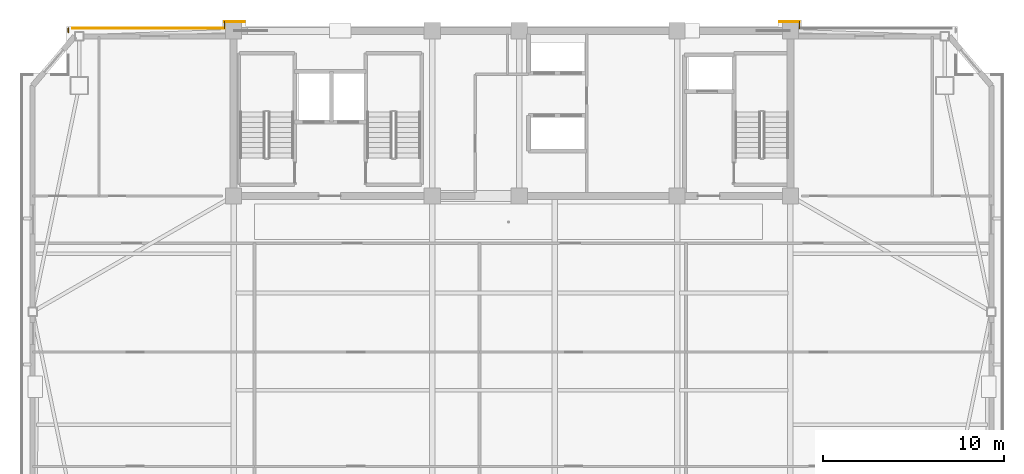
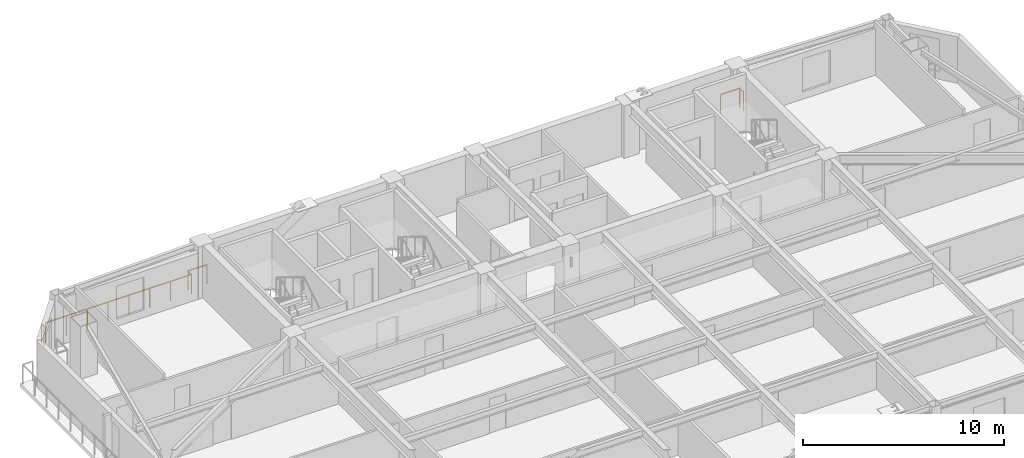
# One storey, part 17 of 18: 6 railings.
"""IFC4 building model written with IfcOpenShell, lengths in metres."""

import ifcopenshell
import ifcopenshell.guid

model = None  # the IFC model being written
_history = None  # IfcOwnerHistory: only IFC2X3 demands one
_inside = {}  # id of a spatial element -> (the spatial element, [elements in it])
_under = {}  # id of a project, library or spatial element -> (it, [spatial elements below it])
_declared = {}  # id of a project -> (the project, [libraries it declares])
_typed = {}  # id of a type object -> (the type object, [elements of that type])
_made_of = {}  # id of a material, layer set ... -> (it, [elements and type objects made of it])


def new_model(schema):
    """Start an empty IFC model of exactly this schema.

    Asked for "IFC4X3", IfcOpenShell would pick the latest addendum, in which some entities
    have other attributes; the version numbers below select the first issue.
    IFC2X3 requires an IfcOwnerHistory on every rooted entity: one is made here for all.
    """
    global model, _history
    if schema == "IFC4X3":
        model = ifcopenshell.file(schema_version=(4, 3, 0, 0))
    else:
        model = ifcopenshell.file(schema=schema)
    _inside.clear()
    _under.clear()
    _declared.clear()
    _typed.clear()
    _made_of.clear()
    _history = None
    if model.schema == "IFC2X3":
        org = make("IfcOrganization", Name="unknown")
        user = make(
            "IfcPersonAndOrganization",
            ThePerson=make("IfcPerson", FamilyName="unknown"),
            TheOrganization=org,
        )
        app = make(
            "IfcApplication",
            ApplicationDeveloper=org,
            Version="unknown",
            ApplicationFullName="unknown",
            ApplicationIdentifier="unknown",
        )
        _history = make(
            "IfcOwnerHistory",
            OwningUser=user,
            OwningApplication=app,
            ChangeAction="ADDED",
            CreationDate=0,
        )
    return model


def make(cls, **values):
    """One entity of the class cls with the attributes given. An attribute that is None is left unset."""
    return model.create_entity(
        cls, **{name: value for name, value in values.items() if value is not None}
    )


def rooted(cls, **values):
    """An entity with a GlobalId (a new one), such as an element, a storey or a relation."""
    return make(cls, GlobalId=ifcopenshell.guid.new(), OwnerHistory=_history, **values)


def si_unit(unit_type, name, prefix=None):
    """IfcSIUnit, for example si_unit("LENGTHUNIT", "METRE", prefix="MILLI")."""
    return make("IfcSIUnit", UnitType=unit_type, Prefix=prefix, Name=name)


def assignment(units):
    """IfcUnitAssignment: the units of a project."""
    return None if units is None else make("IfcUnitAssignment", Units=units)


def point(xyz):
    """IfcCartesianPoint."""
    return None if xyz is None else make("IfcCartesianPoint", Coordinates=xyz)


def direction(xyz):
    """IfcDirection."""
    return None if xyz is None else make("IfcDirection", DirectionRatios=xyz)


def frame(location, z_axis=None, x_axis=None):
    """IfcAxis2Placement3D, a coordinate frame: its origin and axes. An axis left out is left unset."""
    return make(
        "IfcAxis2Placement3D",
        Location=point(location),
        Axis=direction(z_axis),
        RefDirection=direction(x_axis),
    )


def frame_2d(location, x_axis=None):
    """IfcAxis2Placement2D, a coordinate frame in the plane: its origin and x axis."""
    return make(
        "IfcAxis2Placement2D", Location=point(location), RefDirection=direction(x_axis)
    )


def origin():
    """The frame at (0, 0, 0) with its axes left unset."""
    return frame((0.0, 0.0, 0.0))


def origin_2d():
    """The frame at (0, 0) in the plane with its x axis left unset."""
    return frame_2d((0.0, 0.0))


def place(relative_to, where):
    """IfcLocalPlacement: puts the frame where relative to a parent placement (None: the world)."""
    return make(
        "IfcLocalPlacement", PlacementRelTo=relative_to, RelativePlacement=where
    )


def context(
    kind, dimensions, precision=None, world=None, true_north=None, identifier=None
):
    """IfcGeometricRepresentationContext, for example the 3D "Model" context."""
    return make(
        "IfcGeometricRepresentationContext",
        ContextIdentifier=identifier,
        ContextType=kind,
        CoordinateSpaceDimension=dimensions,
        Precision=precision,
        WorldCoordinateSystem=world,
        TrueNorth=true_north,
    )


def subcontext(parent, identifier, kind, view, scale=None):
    """IfcGeometricRepresentationSubContext, for example "Body" below "Model"."""
    return make(
        "IfcGeometricRepresentationSubContext",
        ContextIdentifier=identifier,
        ContextType=kind,
        ParentContext=parent,
        TargetScale=scale,
        TargetView=view,
    )


def project(units=None, contexts=None):
    """IfcProject with its units and contexts."""
    return rooted(
        "IfcProject",
        Name="project",
        RepresentationContexts=contexts,
        UnitsInContext=assignment(units),
    )


def spatial(cls, under=None, at=None, **own):
    """A site, building, storey or space (cls), placed at a placement, below another one or the project."""
    s = rooted(cls, ObjectPlacement=at, **own)
    if under is not None:
        _under.setdefault(under.id(), (under, []))[1].append(s)
    return s


def profile(cls, at=None, kind="AREA", **sizes):
    """A parametric profile (cls). Its sizes go by their IFC names, for example OverallWidth=200.0."""
    return make(cls, ProfileType=kind, Position=at, **sizes)


def rectangle(**sizes):
    """IfcRectangleProfileDef."""
    return profile("IfcRectangleProfileDef", **sizes)


def extrude(swept, where, along, depth):
    """IfcExtrudedAreaSolid: the profile swept, set in the frame where, extruded along a direction by depth."""
    return make(
        "IfcExtrudedAreaSolid",
        SweptArea=swept,
        Position=where,
        ExtrudedDirection=direction(along),
        Depth=depth,
    )


def shape(context_of_items, identifier, shape_type, items):
    """IfcShapeRepresentation: the items that make up one representation, for example the "Body"."""
    return make(
        "IfcShapeRepresentation",
        ContextOfItems=context_of_items,
        RepresentationIdentifier=identifier,
        RepresentationType=shape_type,
        Items=items,
    )


def material(Name=None, Category=None):
    """IfcMaterial."""
    return make("IfcMaterial", Name=Name, Category=Category)


def made_of(thing, what):
    """Note that an element or type object is made of a material, layer set ...; save() writes the relation."""
    if what is not None:
        _made_of.setdefault(what.id(), (what, []))[1].append(thing)
    return thing


def type_object(cls, material=None, **own):
    """A type object (cls), such as IfcWallType, which elements share."""
    return made_of(rooted(cls, **own), material)


def element(
    cls,
    number,
    at=None,
    inside=None,
    cuts=None,
    type_object=None,
    material=None,
    context=None,
    identifier="Body",
    shape_type=None,
    held_by="IfcProductDefinitionShape",
    body=None,
    shapes=None,
    **own,
):
    """One element of the class cls, such as IfcWall. Its Tag is "e" and its number.

    at: its placement. inside: the storey or other place that contains it. cuts: it is an
    opening in that element (IfcRelVoidsElement). A single representation is given by context,
    identifier, shape_type and body (its items); several are given by shapes. held_by: the class
    of the entity that holds the representations. save() writes the other relations.
    """
    e = rooted(cls, Tag="e%d" % number, ObjectPlacement=at, **own)
    if body is not None:
        shapes = [shape(context, identifier, shape_type, body)]
    if shapes is not None:
        e.Representation = make(held_by, Representations=shapes)
    if inside is not None:
        _inside.setdefault(inside.id(), (inside, []))[1].append(e)
    if cuts is not None:
        rooted(
            "IfcRelVoidsElement", RelatingBuildingElement=cuts, RelatedOpeningElement=e
        )
    if type_object is not None:
        _typed.setdefault(type_object.id(), (type_object, []))[1].append(e)
    return made_of(e, material)


def aggregate(whole, parts):
    """IfcRelAggregates: a whole, such as a stair, and the parts it consists of."""
    return rooted("IfcRelAggregates", RelatingObject=whole, RelatedObjects=parts)


def save(model, path):
    """Write the relations noted so far, then the file.

    IfcRelAggregates (storeys below a building ...), IfcRelContainedInSpatialStructure (elements
    in a storey), IfcRelDefinesByType, IfcRelAssociatesMaterial and IfcRelDeclares: one each for
    every whole, place, type object, material and project.
    """
    for whole, parts in _under.values():
        aggregate(whole, parts)
    for where, things in _inside.values():
        rooted(
            "IfcRelContainedInSpatialStructure",
            RelatedElements=things,
            RelatingStructure=where,
        )
    for kind, things in _typed.values():
        rooted("IfcRelDefinesByType", RelatedObjects=things, RelatingType=kind)
    for what, things in _made_of.values():
        rooted("IfcRelAssociatesMaterial", RelatedObjects=things, RelatingMaterial=what)
    for by, libraries in _declared.values():
        rooted("IfcRelDeclares", RelatingContext=by, RelatedDefinitions=libraries)
    model.write(path)


model = new_model("IFC4")

# Units and contexts
model_context = context("Model", 3, precision=1e-05, world=origin(), true_north=direction((0.0, 1.0)))
body_context = subcontext(model_context, "Body", "Model", "MODEL_VIEW")
ifc_project = project(units=[si_unit("LENGTHUNIT", "METRE"), si_unit("AREAUNIT", "SQUARE_METRE"), si_unit("VOLUMEUNIT", "CUBIC_METRE"), si_unit("PLANEANGLEUNIT", "RADIAN"), si_unit("MASSUNIT", "GRAM", prefix="KILO")], contexts=[model_context])

# Site, building, storey
site_placement = place(None, origin())
site = spatial("IfcSite", under=ifc_project, at=site_placement, CompositionType="ELEMENT")
building_placement = place(site_placement, origin())
building = spatial("IfcBuilding", under=site, at=building_placement, Name="Giltprow Tower", CompositionType="ELEMENT")
storey_placement = place(building_placement, frame((0.0, 0.0, 258.699951171875)))
storey = spatial("IfcBuildingStorey", under=building, at=storey_placement, Name="L66", CompositionType="ELEMENT", Elevation=258.699951171875)

# Railings
ifc_material = material(Name="Anodized bronze", Category="metal")
railing_type = type_object("IfcRailingType", Name="RAIL-BALC-GUARD-1200", PredefinedType="BALUSTRADE", material=ifc_material)
railing_1_placement = place(storey_placement, frame((10.748046875, 46.470947265625, 0.0)))
element("IfcRailing", 1, at=railing_1_placement, inside=storey, type_object=railing_type, Name="L66 Corner Apron Edge Balustrade 21", PredefinedType="BALUSTRADE", context=body_context, shape_type="SweptSolid", body=[
    extrude(rectangle(XDim=0.048095703125, YDim=0.048095703125, at=origin_2d()), frame((0.0, 0.0, 1.17578125), z_axis=(0.0, 1.0, 0.0), x_axis=(-1.0, 0.0, 0.0)), (0.0, 0.0, 1.0), 0.22802734375),
    extrude(rectangle(XDim=0.0419921875, YDim=0.0419921875, at=origin_2d()), origin(), (0.0, 0.0, 1.0), 1.15185546875),
    extrude(rectangle(XDim=0.0419921875, YDim=0.0419921875, at=origin_2d()), frame((0.0, 0.22802734375, 0.0)), (0.0, 0.0, 1.0), 1.15185546875),
])
railing_2_placement = place(storey_placement, frame((10.971923828125, 46.698974609375, 0.0)))
element("IfcRailing", 2, at=railing_2_placement, inside=storey, type_object=railing_type, Name="L66 Corner Apron Edge Balustrade 22", PredefinedType="BALUSTRADE", context=body_context, shape_type="SweptSolid", body=[
    extrude(rectangle(XDim=0.048095703125, YDim=0.048095703125, at=origin_2d()), frame((0.0, 0.0, 1.17578125), z_axis=(1.0, 0.0, 0.0), x_axis=(0.0, 1.0, 0.0)), (0.0, 0.0, 1.0), 8.378173828125),
    extrude(rectangle(XDim=0.0419921875, YDim=0.0419921875, at=origin_2d()), origin(), (0.0, 0.0, 1.0), 1.15185546875),
    extrude(rectangle(XDim=0.0419921875, YDim=0.0419921875, at=origin_2d()), frame((1.19677734375, 0.0, 0.0)), (0.0, 0.0, 1.0), 1.15185546875),
    extrude(rectangle(XDim=0.0419921875, YDim=0.0419921875, at=origin_2d()), frame((2.393798828125, 0.0, 0.0)), (0.0, 0.0, 1.0), 1.15185546875),
    extrude(rectangle(XDim=0.0419921875, YDim=0.0419921875, at=origin_2d()), frame((3.590576171875, 0.0, 0.0)), (0.0, 0.0, 1.0), 1.15185546875),
    extrude(rectangle(XDim=0.0419921875, YDim=0.0419921875, at=origin_2d()), frame((4.78759765625, 0.0, 0.0)), (0.0, 0.0, 1.0), 1.15185546875),
    extrude(rectangle(XDim=0.0419921875, YDim=0.0419921875, at=origin_2d()), frame((5.984375, 0.0, 0.0)), (0.0, 0.0, 1.0), 1.15185546875),
    extrude(rectangle(XDim=0.0419921875, YDim=0.0419921875, at=origin_2d()), frame((7.181396484375, 0.0, 0.0)), (0.0, 0.0, 1.0), 1.15185546875),
    extrude(rectangle(XDim=0.0419921875, YDim=0.0419921875, at=origin_2d()), frame((8.378173828125, 0.0, 0.0)), (0.0, 0.0, 1.0), 1.15185546875),
])
railing_3_placement = place(storey_placement, frame((19.35009765625, 46.698974609375, 0.0)))
element("IfcRailing", 3, at=railing_3_placement, inside=storey, type_object=railing_type, Name="L66 Corner Apron Edge Balustrade 23", PredefinedType="BALUSTRADE", context=body_context, shape_type="SweptSolid", body=[
    extrude(rectangle(XDim=0.048095703125, YDim=0.048095703125, at=origin_2d()), frame((0.0, 0.0, 1.17578125), z_axis=(0.0, 1.0, 0.0), x_axis=(-1.0, 0.0, 0.0)), (0.0, 0.0, 1.0), 0.35107421875),
    extrude(rectangle(XDim=0.0419921875, YDim=0.0419921875, at=origin_2d()), origin(), (0.0, 0.0, 1.0), 1.15185546875),
    extrude(rectangle(XDim=0.0419921875, YDim=0.0419921875, at=origin_2d()), frame((0.0, 0.35107421875, 0.0)), (0.0, 0.0, 1.0), 1.15185546875),
])
railing_4_placement = place(storey_placement, frame((19.35009765625, 47.050048828125, 0.0)))
element("IfcRailing", 4, at=railing_4_placement, inside=storey, type_object=railing_type, Name="L66 Corner Apron Edge Balustrade 24", PredefinedType="BALUSTRADE", context=body_context, shape_type="SweptSolid", body=[
    extrude(rectangle(XDim=0.048095703125, YDim=0.048095703125, at=origin_2d()), frame((0.0, 0.0, 1.17578125), z_axis=(1.0, 0.0, 0.0), x_axis=(0.0, 1.0, 0.0)), (0.0, 0.0, 1.0), 1.099853515625),
    extrude(rectangle(XDim=0.0419921875, YDim=0.0419921875, at=origin_2d()), origin(), (0.0, 0.0, 1.0), 1.15185546875),
    extrude(rectangle(XDim=0.0419921875, YDim=0.0419921875, at=origin_2d()), frame((1.099853515625, 0.0, 0.0)), (0.0, 0.0, 1.0), 1.15185546875),
])
railing_5_placement = place(storey_placement, frame((49.949951171875, 47.050048828125, 0.0)))
element("IfcRailing", 5, at=railing_5_placement, inside=storey, type_object=railing_type, Name="L66 Corner Apron Edge Balustrade 25", PredefinedType="BALUSTRADE", context=body_context, shape_type="SweptSolid", body=[
    extrude(rectangle(XDim=0.048095703125, YDim=0.048095703125, at=origin_2d()), frame((0.0, 0.0, 1.17578125), z_axis=(1.0, 0.0, 0.0), x_axis=(0.0, 1.0, 0.0)), (0.0, 0.0, 1.0), 1.10009765625),
    extrude(rectangle(XDim=0.0419921875, YDim=0.0419921875, at=origin_2d()), origin(), (0.0, 0.0, 1.0), 1.15185546875),
    extrude(rectangle(XDim=0.0419921875, YDim=0.0419921875, at=origin_2d()), frame((1.10009765625, 0.0, 0.0)), (0.0, 0.0, 1.0), 1.15185546875),
])
railing_6_placement = place(storey_placement, frame((51.050048828125, 47.050048828125, 0.0)))
element("IfcRailing", 6, at=railing_6_placement, inside=storey, type_object=railing_type, Name="L66 Corner Apron Edge Balustrade 26", PredefinedType="BALUSTRADE", context=body_context, shape_type="SweptSolid", body=[
    extrude(rectangle(XDim=0.048095703125, YDim=0.048095703125, at=origin_2d()), frame((0.0, 0.0, 1.17578125), z_axis=(0.0, -1.0, 0.0), x_axis=(1.0, 0.0, 0.0)), (0.0, 0.0, 1.0), 0.35107421875),
    extrude(rectangle(XDim=0.0419921875, YDim=0.0419921875, at=origin_2d()), origin(), (0.0, 0.0, 1.0), 1.15185546875),
    extrude(rectangle(XDim=0.0419921875, YDim=0.0419921875, at=origin_2d()), frame((0.0, -0.35107421875, 0.0)), (0.0, 0.0, 1.0), 1.15185546875),
])

save(model, "model.ifc")
